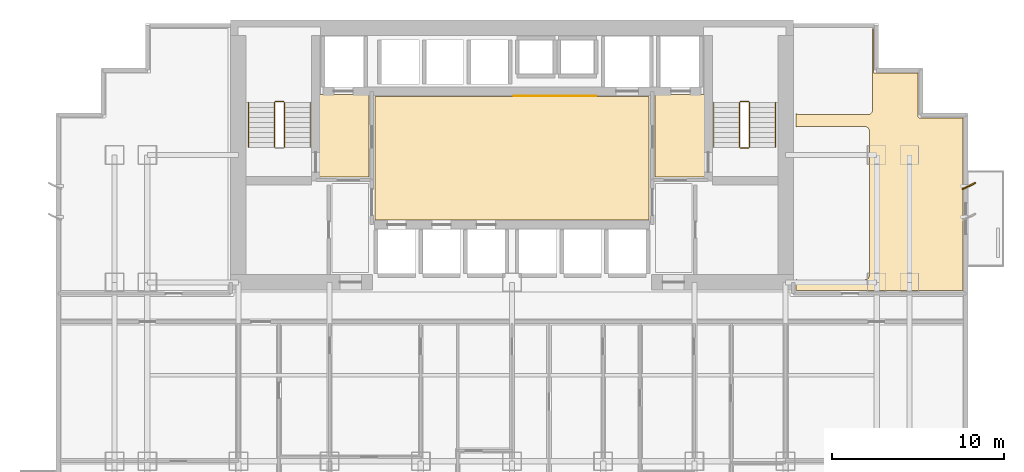
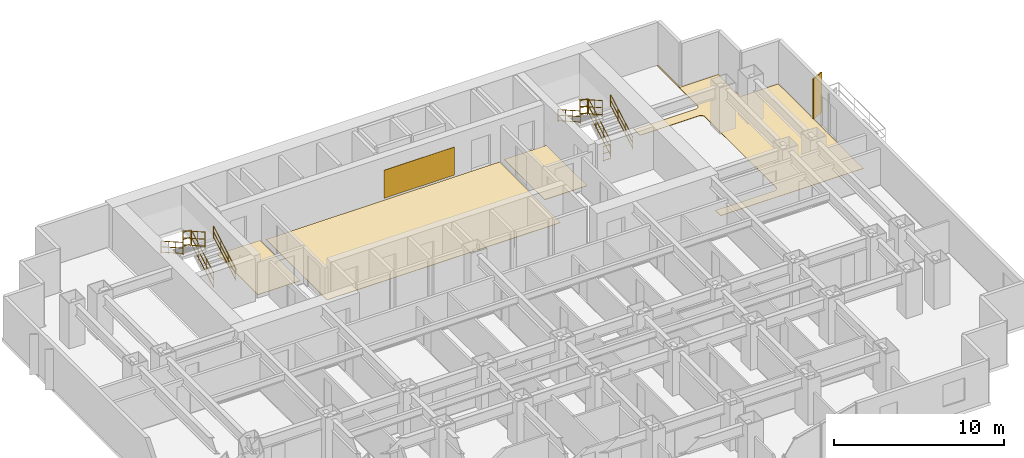
# One storey, part 10 of 10: 11 railings, 5 coverings, 1 shading device.
"""IFC4 building model written with IfcOpenShell, lengths in metres."""

from ifc_helpers import new_model, si_unit, direction, frame, origin, origin_2d, place, context, subcontext, project, spatial, polyline, rectangle, circle, outline, extrude, source, transform, mapped, material, layer, layer_set, type_object, element, save


model = new_model("IFC4")

# Units and contexts
model_context = context("Model", 3, precision=1e-05, world=origin(), true_north=direction((0.0, 1.0)))
body_context = subcontext(model_context, "Body", "Model", "MODEL_VIEW")
ifc_project = project(units=[si_unit("LENGTHUNIT", "METRE"), si_unit("AREAUNIT", "SQUARE_METRE"), si_unit("VOLUMEUNIT", "CUBIC_METRE"), si_unit("PLANEANGLEUNIT", "RADIAN"), si_unit("MASSUNIT", "GRAM", prefix="KILO")], contexts=[model_context])

# Site, building, storey
site_placement = place(None, origin())
site = spatial("IfcSite", under=ifc_project, at=site_placement, CompositionType="ELEMENT")
building_placement = place(site_placement, origin())
building = spatial("IfcBuilding", under=site, at=building_placement, Name="Qianlan Lanfeng Residences", CompositionType="ELEMENT")
storey_placement = place(building_placement, frame((0.0, 0.0, 60.5)))
storey = spatial("IfcBuildingStorey", under=building, at=storey_placement, Name="L16", CompositionType="ELEMENT", Elevation=60.5)

# Coverings
ifc_material_1 = material(Name="Anodised Bronze Feature Wall Cladding")
ifc_layer_1 = layer(ifc_material_1, 0.02490234375)
ifc_layer_set_1 = layer_set([ifc_layer_1], Name="Anodised Bronze Feature Wall Cladding")
covering_type_1 = type_object("IfcCoveringType", Name="CLD-BRZ-25", PredefinedType="CLADDING", material=ifc_layer_set_1)
covering_1_placement = place(storey_placement, frame((0.0, 0.0, 0.14990234375)))
element("IfcCovering", 1, at=covering_1_placement, inside=storey, type_object=covering_type_1, Name="L16 Lift Lobby Bronze Feature Cladding", PredefinedType="CLADDING", context=body_context, shape_type="SweptSolid", body=[
    extrude(outline(polyline([(26.60009765625, 36.02490234375), (31.39990234375, 36.02490234375), (31.39990234375, 36.050048828125), (26.60009765625, 36.050048828125), (26.60009765625, 36.02490234375)])), origin(), (0.0, 0.0, 1.0), 2.02001953125),
])
ifc_material_2 = material(Name="Honed Taitung Granite Stone Flooring", Category="masonry")
ifc_layer_2 = layer(ifc_material_2, 0.030029296875)
ifc_layer_set_2 = layer_set([ifc_layer_2], Name="Honed Taitung Granite Stone Flooring")
covering_type_2 = type_object("IfcCoveringType", Name="FLR-STN-30", PredefinedType="FLOORING", material=ifc_layer_set_2)
covering_2_placement = place(storey_placement, origin())
element("IfcCovering", 2, at=covering_2_placement, inside=storey, type_object=covering_type_2, Name="L16 Firefighting Lift Lobby Floor Finish", PredefinedType="FLOORING", context=body_context, shape_type="SweptSolid", body=[
    extrude(outline(polyline([(15.2900390625, 31.320068359375), (18.179931640625, 31.320068359375), (18.179931640625, 36.110107421875), (15.2900390625, 36.110107421875), (15.2900390625, 31.320068359375)])), origin(), (0.0, 0.0, 1.0), 0.030029296875),
])
covering_3_placement = place(storey_placement, origin())
element("IfcCovering", 3, at=covering_3_placement, inside=storey, type_object=covering_type_2, Name="L16 Firefighting Lift Lobby Floor Finish", PredefinedType="FLOORING", context=body_context, shape_type="SweptSolid", body=[
    extrude(outline(polyline([(34.820068359375, 31.320068359375), (37.7099609375, 31.320068359375), (37.7099609375, 36.110107421875), (34.820068359375, 36.110107421875), (34.820068359375, 31.320068359375)])), origin(), (0.0, 0.0, 1.0), 0.030029296875),
])
covering_4_placement = place(storey_placement, origin())
element("IfcCovering", 4, at=covering_4_placement, inside=storey, type_object=covering_type_2, Name="L16 Lift Lobby Floor Finish", PredefinedType="FLOORING", context=body_context, shape_type="SweptSolid", body=[
    extrude(outline(polyline([(18.550048828125, 28.820068359375), (34.449951171875, 28.820068359375), (34.449951171875, 36.010009765625), (18.550048828125, 36.010009765625), (18.550048828125, 28.820068359375)])), origin(), (0.0, 0.0, 1.0), 0.030029296875),
])
ifc_material_3 = material(Name="Engineered Smoked Oak Timber Flooring", Category="wood")
ifc_layer_3 = layer(ifc_material_3, 0.02197265625)
ifc_layer_set_3 = layer_set([ifc_layer_3], Name="Engineered Smoked Oak Timber Flooring")
covering_type_3 = type_object("IfcCoveringType", Name="FLR-TIM-22", PredefinedType="FLOORING", material=ifc_layer_set_3)
covering_5_placement = place(storey_placement, origin())
element("IfcCovering", 5, at=covering_5_placement, inside=storey, type_object=covering_type_3, Name="L16 Yoga Studio Floor Finish", PredefinedType="FLOORING", context=body_context, shape_type="SweptSolid", body=[
    extrude(outline(polyline([(43.0, 24.719970703125), (52.7099609375, 24.719970703125), (52.7099609375, 34.760009765625), (50.179931640625, 34.760009765625), (50.173095703125, 34.760009765625), (50.166015625, 34.760986328125), (50.159912109375, 34.762939453125), (50.153076171875, 34.764892578125), (50.14697265625, 34.76806640625), (50.14111328125, 34.77197265625), (50.135986328125, 34.77587890625), (50.131103515625, 34.781005859375), (50.1259765625, 34.785888671875), (50.1220703125, 34.791015625), (50.117919921875, 34.797119140625), (50.114990234375, 34.802978515625), (50.113037109375, 34.81005859375), (50.111083984375, 34.81591796875), (50.110107421875, 34.822998046875), (50.110107421875, 34.830078125), (50.110107421875, 37.360107421875), (47.580078125, 37.360107421875), (47.572998046875, 37.360107421875), (47.56591796875, 37.361083984375), (47.56005859375, 37.363037109375), (47.552978515625, 37.364990234375), (47.547119140625, 37.367919921875), (47.541015625, 37.3720703125), (47.535888671875, 37.3759765625), (47.531005859375, 37.381103515625), (47.52587890625, 37.385986328125), (47.52197265625, 37.39111328125), (47.51806640625, 37.39697265625), (47.514892578125, 37.403076171875), (47.512939453125, 37.409912109375), (47.510986328125, 37.416015625), (47.510009765625, 37.423095703125), (47.510009765625, 37.429931640625), (47.510009765625, 39.9599609375), (47.449951171875, 39.9599609375), (47.449951171875, 35.199951171875), (47.448974609375, 35.175048828125), (47.445068359375, 35.15087890625), (47.43896484375, 35.126953125), (47.430908203125, 35.10400390625), (47.419921875, 35.08203125), (47.407958984375, 35.06103515625), (47.39306640625, 35.041015625), (47.376953125, 35.02294921875), (47.35888671875, 35.007080078125), (47.339111328125, 34.991943359375), (47.318115234375, 34.97998046875), (47.2958984375, 34.968994140625), (47.27294921875, 34.9609375), (47.2490234375, 34.955078125), (47.22509765625, 34.950927734375), (47.199951171875, 34.949951171875), (43.199951171875, 34.949951171875), (43.175048828125, 34.950927734375), (43.15087890625, 34.955078125), (43.126953125, 34.9609375), (43.10400390625, 34.968994140625), (43.08203125, 34.97998046875), (43.06103515625, 34.991943359375), (43.041015625, 35.007080078125), (43.02294921875, 35.02294921875), (43.007080078125, 35.041015625), (43.0, 35.050048828125), (43.0, 34.237060546875), (43.007080078125, 34.239013671875), (43.031005859375, 34.2451171875), (43.054931640625, 34.2490234375), (43.080078125, 34.25), (47.02001953125, 34.25), (47.044921875, 34.2490234375), (47.069091796875, 34.2451171875), (47.093017578125, 34.239013671875), (47.115966796875, 34.23095703125), (47.137939453125, 34.219970703125), (47.158935546875, 34.2080078125), (47.178955078125, 34.193115234375), (47.197021484375, 34.177001953125), (47.212890625, 34.158935546875), (47.22802734375, 34.138916015625), (47.239990234375, 34.117919921875), (47.2509765625, 34.095947265625), (47.259033203125, 34.072998046875), (47.264892578125, 34.049072265625), (47.26904296875, 34.02490234375), (47.27001953125, 34.0), (47.27001953125, 25.60009765625), (47.26904296875, 25.574951171875), (47.264892578125, 25.551025390625), (47.259033203125, 25.527099609375), (47.2509765625, 25.50390625), (47.239990234375, 25.48193359375), (47.22802734375, 25.4609375), (47.212890625, 25.44091796875), (47.197021484375, 25.423095703125), (47.178955078125, 25.406982421875), (47.158935546875, 25.39208984375), (47.137939453125, 25.3798828125), (47.115966796875, 25.368896484375), (47.093017578125, 25.361083984375), (47.069091796875, 25.35498046875), (47.044921875, 25.35107421875), (47.02001953125, 25.35009765625), (43.080078125, 25.35009765625), (43.054931640625, 25.35107421875), (43.031005859375, 25.35498046875), (43.007080078125, 25.361083984375), (43.0, 25.363037109375), (43.0, 24.719970703125)])), origin(), (0.0, 0.0, 1.0), 0.02197265625),
])

# Railings
ifc_material_4 = material(Name="Painted Galvanised Steel Guardrail", Category="steel")
railing_type_1 = type_object("IfcRailingType", Name="GR-ST-1120", PredefinedType="GUARDRAIL", material=ifc_material_4)
railing_1_placement = place(storey_placement, frame((13.27001953125, 33.050048828125, 0.1650390625)))
element("IfcRailing", 6, at=railing_1_placement, inside=storey, type_object=railing_type_1, Name="L16 ST-1 stair guard 1", PredefinedType="GUARDRAIL", context=body_context, shape_type="SweptSolid", body=[
    extrude(circle(Radius=0.02392578125, at=origin_2d()), frame((0.0, 0.0, 0.083984375), z_axis=(0.0, 0.869172267526, 0.494509422927), x_axis=(-1.0, 0.0, 0.0)), (0.0, 0.0, 1.0), 3.002685546875),
    extrude(circle(Radius=0.02392578125, at=origin_2d()), frame((0.0, 0.0, 0.58251953125), z_axis=(0.0, 0.869172267526, 0.494509422927), x_axis=(-1.0, 0.0, 0.0)), (0.0, 0.0, 1.0), 3.002685546875),
    extrude(circle(Radius=0.02392578125, at=origin_2d()), frame((0.0, 0.0, 1.09619140625), z_axis=(0.0, 0.869172267526, 0.494509422927), x_axis=(-1.0, 0.0, 0.0)), (0.0, 0.0, 1.0), 3.002685546875),
    extrude(circle(Radius=0.02099609375, at=origin_2d()), origin(), (0.0, 0.0, 1.0), 1.072021484375),
    extrude(circle(Radius=0.02099609375, at=origin_2d()), frame((0.0, 0.869873046875, 0.494873046875)), (0.0, 0.0, 1.0), 1.072021484375),
    extrude(circle(Radius=0.02099609375, at=origin_2d()), frame((0.0, 1.739990234375, 0.989990234375)), (0.0, 0.0, 1.0), 1.072021484375),
    extrude(circle(Radius=0.02099609375, at=origin_2d()), frame((0.0, 2.60986328125, 1.48486328125)), (0.0, 0.0, 1.0), 1.072021484375),
])
railing_2_placement = place(storey_placement, frame((13.219970703125, 35.7099609375, 1.64990234375)))
element("IfcRailing", 7, at=railing_2_placement, inside=storey, type_object=railing_type_1, Name="L16 ST-1 stair guard 2", PredefinedType="GUARDRAIL", context=body_context, shape_type="SweptSolid", body=[
    extrude(circle(Radius=0.02392578125, at=origin_2d()), frame((0.0, 0.0, 0.083984375), z_axis=(-1.0, 0.0, 0.0), x_axis=(0.0, -1.0, 0.0)), (0.0, 0.0, 1.0), 0.47998046875),
    extrude(circle(Radius=0.02392578125, at=origin_2d()), frame((0.0, 0.0, 0.58251953125), z_axis=(-1.0, 0.0, 0.0), x_axis=(0.0, -1.0, 0.0)), (0.0, 0.0, 1.0), 0.47998046875),
    extrude(circle(Radius=0.02392578125, at=origin_2d()), frame((0.0, 0.0, 1.09619140625), z_axis=(-1.0, 0.0, 0.0), x_axis=(0.0, -1.0, 0.0)), (0.0, 0.0, 1.0), 0.47998046875),
    extrude(circle(Radius=0.02099609375, at=origin_2d()), origin(), (0.0, 0.0, 1.0), 1.072021484375),
    extrude(circle(Radius=0.02099609375, at=origin_2d()), frame((-0.47998046875, 0.0, 0.0)), (0.0, 0.0, 1.0), 1.072021484375),
])
railing_3_placement = place(storey_placement, frame((12.68994140625, 35.659912109375, 1.81494140625)))
element("IfcRailing", 8, at=railing_3_placement, inside=storey, type_object=railing_type_1, Name="L16 ST-1 stair guard 3", PredefinedType="GUARDRAIL", context=body_context, shape_type="SweptSolid", body=[
    extrude(circle(Radius=0.02392578125, at=origin_2d()), frame((0.0, 0.0, 0.083984375), z_axis=(0.0, -0.869137319866, 0.494570843475), x_axis=(1.0, 0.0, 0.0)), (0.0, 0.0, 1.0), 3.0029296875),
    extrude(circle(Radius=0.02392578125, at=origin_2d()), frame((0.0, 0.0, 0.58251953125), z_axis=(0.0, -0.869137319866, 0.494570843475), x_axis=(1.0, 0.0, 0.0)), (0.0, 0.0, 1.0), 3.0029296875),
    extrude(circle(Radius=0.02392578125, at=origin_2d()), frame((0.0, 0.0, 1.09619140625), z_axis=(0.0, -0.869137319866, 0.494570843475), x_axis=(1.0, 0.0, 0.0)), (0.0, 0.0, 1.0), 3.0029296875),
    extrude(circle(Radius=0.02099609375, at=origin_2d()), origin(), (0.0, 0.0, 1.0), 1.072021484375),
    extrude(circle(Radius=0.02099609375, at=origin_2d()), frame((0.0, -0.869873046875, 0.4951171875)), (0.0, 0.0, 1.0), 1.072021484375),
    extrude(circle(Radius=0.02099609375, at=origin_2d()), frame((0.0, -1.739990234375, 0.989990234375)), (0.0, 0.0, 1.0), 1.072021484375),
    extrude(circle(Radius=0.02099609375, at=origin_2d()), frame((0.0, -2.60986328125, 1.485107421875)), (0.0, 0.0, 1.0), 1.072021484375),
])
railing_4_placement = place(storey_placement, frame((40.31005859375, 33.050048828125, 0.1650390625)))
element("IfcRailing", 9, at=railing_4_placement, inside=storey, type_object=railing_type_1, Name="L16 ST-2 stair guard 1", PredefinedType="GUARDRAIL", context=body_context, shape_type="SweptSolid", body=[
    extrude(circle(Radius=0.02392578125, at=origin_2d()), frame((0.0, 0.0, 0.083984375), z_axis=(0.0, 0.869172267526, 0.494509422927), x_axis=(-1.0, 0.0, 0.0)), (0.0, 0.0, 1.0), 3.002685546875),
    extrude(circle(Radius=0.02392578125, at=origin_2d()), frame((0.0, 0.0, 0.58251953125), z_axis=(0.0, 0.869172267526, 0.494509422927), x_axis=(-1.0, 0.0, 0.0)), (0.0, 0.0, 1.0), 3.002685546875),
    extrude(circle(Radius=0.02392578125, at=origin_2d()), frame((0.0, 0.0, 1.09619140625), z_axis=(0.0, 0.869172267526, 0.494509422927), x_axis=(-1.0, 0.0, 0.0)), (0.0, 0.0, 1.0), 3.002685546875),
    extrude(circle(Radius=0.02099609375, at=origin_2d()), origin(), (0.0, 0.0, 1.0), 1.072021484375),
    extrude(circle(Radius=0.02099609375, at=origin_2d()), frame((0.0, 0.869873046875, 0.494873046875)), (0.0, 0.0, 1.0), 1.072021484375),
    extrude(circle(Radius=0.02099609375, at=origin_2d()), frame((0.0, 1.739990234375, 0.989990234375)), (0.0, 0.0, 1.0), 1.072021484375),
    extrude(circle(Radius=0.02099609375, at=origin_2d()), frame((0.0, 2.60986328125, 1.48486328125)), (0.0, 0.0, 1.0), 1.072021484375),
])
railing_5_placement = place(storey_placement, frame((40.260009765625, 35.7099609375, 1.64990234375)))
element("IfcRailing", 10, at=railing_5_placement, inside=storey, type_object=railing_type_1, Name="L16 ST-2 stair guard 2", PredefinedType="GUARDRAIL", context=body_context, shape_type="SweptSolid", body=[
    extrude(circle(Radius=0.02392578125, at=origin_2d()), frame((0.0, 0.0, 0.083984375), z_axis=(-1.0, 0.0, 0.0), x_axis=(0.0, -1.0, 0.0)), (0.0, 0.0, 1.0), 0.47998046875),
    extrude(circle(Radius=0.02392578125, at=origin_2d()), frame((0.0, 0.0, 0.58251953125), z_axis=(-1.0, 0.0, 0.0), x_axis=(0.0, -1.0, 0.0)), (0.0, 0.0, 1.0), 0.47998046875),
    extrude(circle(Radius=0.02392578125, at=origin_2d()), frame((0.0, 0.0, 1.09619140625), z_axis=(-1.0, 0.0, 0.0), x_axis=(0.0, -1.0, 0.0)), (0.0, 0.0, 1.0), 0.47998046875),
    extrude(circle(Radius=0.02099609375, at=origin_2d()), origin(), (0.0, 0.0, 1.0), 1.072021484375),
    extrude(circle(Radius=0.02099609375, at=origin_2d()), frame((-0.47998046875, 0.0, 0.0)), (0.0, 0.0, 1.0), 1.072021484375),
])
railing_6_placement = place(storey_placement, frame((39.72998046875, 35.659912109375, 1.81494140625)))
element("IfcRailing", 11, at=railing_6_placement, inside=storey, type_object=railing_type_1, Name="L16 ST-2 stair guard 3", PredefinedType="GUARDRAIL", context=body_context, shape_type="SweptSolid", body=[
    extrude(circle(Radius=0.02392578125, at=origin_2d()), frame((0.0, 0.0, 0.083984375), z_axis=(0.0, -0.869137319866, 0.494570843475), x_axis=(1.0, 0.0, 0.0)), (0.0, 0.0, 1.0), 3.0029296875),
    extrude(circle(Radius=0.02392578125, at=origin_2d()), frame((0.0, 0.0, 0.58251953125), z_axis=(0.0, -0.869137319866, 0.494570843475), x_axis=(1.0, 0.0, 0.0)), (0.0, 0.0, 1.0), 3.0029296875),
    extrude(circle(Radius=0.02392578125, at=origin_2d()), frame((0.0, 0.0, 1.09619140625), z_axis=(0.0, -0.869137319866, 0.494570843475), x_axis=(1.0, 0.0, 0.0)), (0.0, 0.0, 1.0), 3.0029296875),
    extrude(circle(Radius=0.02099609375, at=origin_2d()), origin(), (0.0, 0.0, 1.0), 1.072021484375),
    extrude(circle(Radius=0.02099609375, at=origin_2d()), frame((0.0, -0.869873046875, 0.4951171875)), (0.0, 0.0, 1.0), 1.072021484375),
    extrude(circle(Radius=0.02099609375, at=origin_2d()), frame((0.0, -1.739990234375, 0.989990234375)), (0.0, 0.0, 1.0), 1.072021484375),
    extrude(circle(Radius=0.02099609375, at=origin_2d()), frame((0.0, -2.60986328125, 1.485107421875)), (0.0, 0.0, 1.0), 1.072021484375),
])
railing_7_placement = place(storey_placement, frame((40.260009765625, 33.0, 0.0)))
element("IfcRailing", 12, at=railing_7_placement, inside=storey, type_object=railing_type_1, Name="L16 ST-2 stair guard 4", PredefinedType="GUARDRAIL", context=body_context, shape_type="SweptSolid", body=[
    extrude(circle(Radius=0.02392578125, at=origin_2d()), frame((0.0, 0.0, 0.083984375), z_axis=(-1.0, 0.0, 0.0), x_axis=(0.0, -1.0, 0.0)), (0.0, 0.0, 1.0), 0.47998046875),
    extrude(circle(Radius=0.02392578125, at=origin_2d()), frame((0.0, 0.0, 0.58251953125), z_axis=(-1.0, 0.0, 0.0), x_axis=(0.0, -1.0, 0.0)), (0.0, 0.0, 1.0), 0.47998046875),
    extrude(circle(Radius=0.02392578125, at=origin_2d()), frame((0.0, 0.0, 1.09619140625), z_axis=(-1.0, 0.0, 0.0), x_axis=(0.0, -1.0, 0.0)), (0.0, 0.0, 1.0), 0.47998046875),
    extrude(circle(Radius=0.02099609375, at=origin_2d()), origin(), (0.0, 0.0, 1.0), 1.072021484375),
    extrude(circle(Radius=0.02099609375, at=origin_2d()), frame((-0.47998046875, 0.0, 0.0)), (0.0, 0.0, 1.0), 1.072021484375),
])
ifc_material_5 = material(Name="Brushed Stainless Steel Handrail", Category="steel")
railing_type_2 = type_object("IfcRailingType", Name="HR-ST-920", PredefinedType="HANDRAIL", material=ifc_material_5)
railing_8_placement = place(storey_placement, frame((14.77001953125, 33.050048828125, 0.1650390625)))
element("IfcRailing", 13, at=railing_8_placement, inside=storey, type_object=railing_type_2, Name="L16 ST-1 stair handrail 1", PredefinedType="HANDRAIL", context=body_context, shape_type="SweptSolid", body=[
    extrude(circle(Radius=0.02392578125, at=origin_2d()), frame((0.0, 0.0, 0.083984375), z_axis=(0.0, 0.869172267526, 0.494509422927), x_axis=(-1.0, 0.0, 0.0)), (0.0, 0.0, 1.0), 3.002685546875),
    extrude(circle(Radius=0.02392578125, at=origin_2d()), frame((0.0, 0.0, 0.468017578125), z_axis=(0.0, 0.869172267526, 0.494509422927), x_axis=(-1.0, 0.0, 0.0)), (0.0, 0.0, 1.0), 3.002685546875),
    extrude(circle(Radius=0.02392578125, at=origin_2d()), frame((0.0, 0.0, 0.8759765625), z_axis=(0.0, 0.869172267526, 0.494509422927), x_axis=(-1.0, 0.0, 0.0)), (0.0, 0.0, 1.0), 3.002685546875),
    extrude(circle(Radius=0.02099609375, at=origin_2d()), origin(), (0.0, 0.0, 1.0), 0.851806640625),
    extrude(circle(Radius=0.02099609375, at=origin_2d()), frame((0.0, 0.869873046875, 0.494873046875)), (0.0, 0.0, 1.0), 0.851806640625),
    extrude(circle(Radius=0.02099609375, at=origin_2d()), frame((0.0, 1.739990234375, 0.989990234375)), (0.0, 0.0, 1.0), 0.851806640625),
    extrude(circle(Radius=0.02099609375, at=origin_2d()), frame((0.0, 2.60986328125, 1.48486328125)), (0.0, 0.0, 1.0), 0.851806640625),
])
railing_9_placement = place(storey_placement, frame((11.18994140625, 35.659912109375, 1.81494140625)))
element("IfcRailing", 14, at=railing_9_placement, inside=storey, type_object=railing_type_2, Name="L16 ST-1 stair handrail 2", PredefinedType="HANDRAIL", context=body_context, shape_type="SweptSolid", body=[
    extrude(circle(Radius=0.02392578125, at=origin_2d()), frame((0.0, 0.0, 0.083984375), z_axis=(0.0, -0.869137319866, 0.494570843475), x_axis=(1.0, 0.0, 0.0)), (0.0, 0.0, 1.0), 3.0029296875),
    extrude(circle(Radius=0.02392578125, at=origin_2d()), frame((0.0, 0.0, 0.468017578125), z_axis=(0.0, -0.869137319866, 0.494570843475), x_axis=(1.0, 0.0, 0.0)), (0.0, 0.0, 1.0), 3.0029296875),
    extrude(circle(Radius=0.02392578125, at=origin_2d()), frame((0.0, 0.0, 0.8759765625), z_axis=(0.0, -0.869137319866, 0.494570843475), x_axis=(1.0, 0.0, 0.0)), (0.0, 0.0, 1.0), 3.0029296875),
    extrude(circle(Radius=0.02099609375, at=origin_2d()), origin(), (0.0, 0.0, 1.0), 0.851806640625),
    extrude(circle(Radius=0.02099609375, at=origin_2d()), frame((0.0, -0.869873046875, 0.4951171875)), (0.0, 0.0, 1.0), 0.851806640625),
    extrude(circle(Radius=0.02099609375, at=origin_2d()), frame((0.0, -1.739990234375, 0.989990234375)), (0.0, 0.0, 1.0), 0.851806640625),
    extrude(circle(Radius=0.02099609375, at=origin_2d()), frame((0.0, -2.60986328125, 1.485107421875)), (0.0, 0.0, 1.0), 0.851806640625),
])
railing_10_placement = place(storey_placement, frame((41.81005859375, 33.050048828125, 0.1650390625)))
element("IfcRailing", 15, at=railing_10_placement, inside=storey, type_object=railing_type_2, Name="L16 ST-2 stair handrail 1", PredefinedType="HANDRAIL", context=body_context, shape_type="SweptSolid", body=[
    extrude(circle(Radius=0.02392578125, at=origin_2d()), frame((0.0, 0.0, 0.083984375), z_axis=(0.0, 0.869172267526, 0.494509422927), x_axis=(-1.0, 0.0, 0.0)), (0.0, 0.0, 1.0), 3.002685546875),
    extrude(circle(Radius=0.02392578125, at=origin_2d()), frame((0.0, 0.0, 0.468017578125), z_axis=(0.0, 0.869172267526, 0.494509422927), x_axis=(-1.0, 0.0, 0.0)), (0.0, 0.0, 1.0), 3.002685546875),
    extrude(circle(Radius=0.02392578125, at=origin_2d()), frame((0.0, 0.0, 0.8759765625), z_axis=(0.0, 0.869172267526, 0.494509422927), x_axis=(-1.0, 0.0, 0.0)), (0.0, 0.0, 1.0), 3.002685546875),
    extrude(circle(Radius=0.02099609375, at=origin_2d()), origin(), (0.0, 0.0, 1.0), 0.851806640625),
    extrude(circle(Radius=0.02099609375, at=origin_2d()), frame((0.0, 0.869873046875, 0.494873046875)), (0.0, 0.0, 1.0), 0.851806640625),
    extrude(circle(Radius=0.02099609375, at=origin_2d()), frame((0.0, 1.739990234375, 0.989990234375)), (0.0, 0.0, 1.0), 0.851806640625),
    extrude(circle(Radius=0.02099609375, at=origin_2d()), frame((0.0, 2.60986328125, 1.48486328125)), (0.0, 0.0, 1.0), 0.851806640625),
])
railing_11_placement = place(storey_placement, frame((38.22998046875, 35.659912109375, 1.81494140625)))
element("IfcRailing", 16, at=railing_11_placement, inside=storey, type_object=railing_type_2, Name="L16 ST-2 stair handrail 2", PredefinedType="HANDRAIL", context=body_context, shape_type="SweptSolid", body=[
    extrude(circle(Radius=0.02392578125, at=origin_2d()), frame((0.0, 0.0, 0.083984375), z_axis=(0.0, -0.869137319866, 0.494570843475), x_axis=(1.0, 0.0, 0.0)), (0.0, 0.0, 1.0), 3.0029296875),
    extrude(circle(Radius=0.02392578125, at=origin_2d()), frame((0.0, 0.0, 0.468017578125), z_axis=(0.0, -0.869137319866, 0.494570843475), x_axis=(1.0, 0.0, 0.0)), (0.0, 0.0, 1.0), 3.0029296875),
    extrude(circle(Radius=0.02392578125, at=origin_2d()), frame((0.0, 0.0, 0.8759765625), z_axis=(0.0, -0.869137319866, 0.494570843475), x_axis=(1.0, 0.0, 0.0)), (0.0, 0.0, 1.0), 3.0029296875),
    extrude(circle(Radius=0.02099609375, at=origin_2d()), origin(), (0.0, 0.0, 1.0), 0.851806640625),
    extrude(circle(Radius=0.02099609375, at=origin_2d()), frame((0.0, -0.869873046875, 0.4951171875)), (0.0, 0.0, 1.0), 0.851806640625),
    extrude(circle(Radius=0.02099609375, at=origin_2d()), frame((0.0, -1.739990234375, 0.989990234375)), (0.0, 0.0, 1.0), 0.851806640625),
    extrude(circle(Radius=0.02099609375, at=origin_2d()), frame((0.0, -2.60986328125, 1.485107421875)), (0.0, 0.0, 1.0), 0.851806640625),
])

# Shading device
ifc_material_6 = material(Name="Anodised Bronze Aluminium Solar Fin", Category="aluminium")
shading_device_type = type_object("IfcShadingDeviceType", Name="FIN-BRZ-850", PredefinedType="SHUTTER", material=ifc_material_6)
shared_shape = source(origin(), body_context, "Body", "SweptSolid", [
    extrude(rectangle(XDim=0.85009765625, YDim=0.080078125, at=origin_2d()), origin(), (0.0, 0.0, 1.0), 2.89990234375),
])
shading_device_placement = place(storey_placement, frame((53.070068359375, 30.800048828125, 0.0), z_axis=(0.0, 0.0, 1.0), x_axis=(0.898794046299, 0.438371146789, 0.0)))
element("IfcShadingDevice", 17, at=shading_device_placement, inside=storey, type_object=shading_device_type, Name="L16 Raked Bronze Solar Fin E2", PredefinedType="SHUTTER", context=body_context, shape_type="MappedRepresentation", body=[
    mapped(shared_shape, transform((0.0, 0.0, 0.0), scale=1.0)),
])

save(model, "model.ifc")
